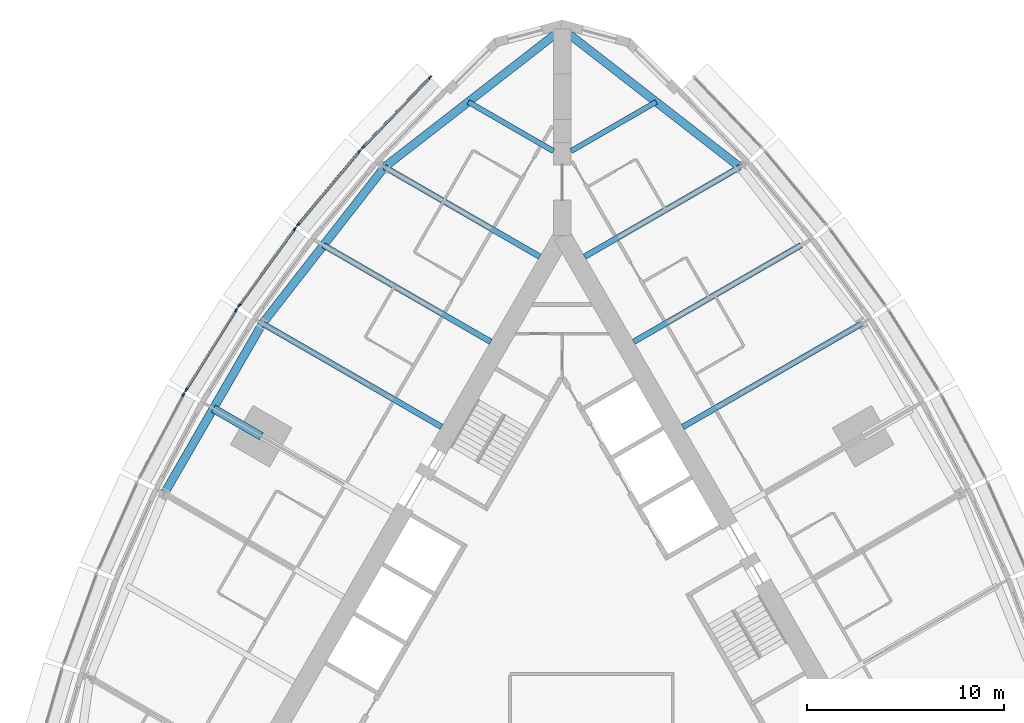
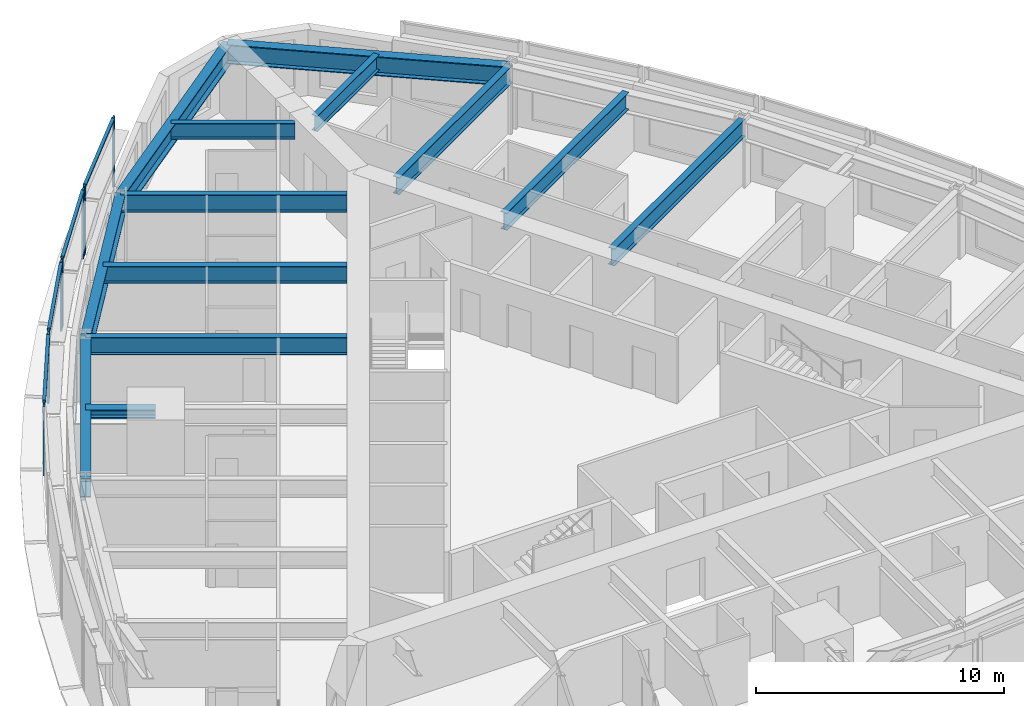
# One storey, part 4 of 14: 13 beams, 13 members, 5 elements without a shape of their own.
"""IFC4 building model written with IfcOpenShell, lengths in metres."""

from ifc_helpers import new_model, si_unit, direction, frame, origin, origin_2d, place, context, subcontext, project, spatial, rectangle, i_section, extrude, material, material_profile, profile_set, type_object, element, aggregate, save


model = new_model("IFC4")

# Units and contexts
model_context = context("Model", 3, precision=1e-05, world=origin(), true_north=direction((0.0, 1.0)))
body_context = subcontext(model_context, "Body", "Model", "MODEL_VIEW")
ifc_project = project(units=[si_unit("LENGTHUNIT", "METRE"), si_unit("AREAUNIT", "SQUARE_METRE"), si_unit("VOLUMEUNIT", "CUBIC_METRE"), si_unit("PLANEANGLEUNIT", "RADIAN"), si_unit("MASSUNIT", "GRAM", prefix="KILO")], contexts=[model_context])

# Site, building, storey
site_placement = place(None, origin())
site = spatial("IfcSite", under=ifc_project, at=site_placement, CompositionType="ELEMENT")
building_placement = place(site_placement, origin())
building = spatial("IfcBuilding", under=site, at=building_placement, Name="Trikona Tower", CompositionType="ELEMENT")
storey_placement = place(building_placement, frame((0.0, 0.0, 148.699951171875)))
storey = spatial("IfcBuildingStorey", under=building, at=storey_placement, Name="L39", CompositionType="ELEMENT", Elevation=148.699951171875)

# Curtain wall, members
ifc_material_1 = material(Name="Aluminium curtain wall system", Category="aluminium")
curtain_wall_type = type_object("IfcCurtainWallType", Name="Curtain wall DS2", PredefinedType="NOTDEFINED", material=ifc_material_1)
curtain_wall_1_placement = place(storey_placement, origin())
curtain_wall_1 = element("IfcCurtainWall", 1, at=curtain_wall_1_placement, inside=storey, type_object=curtain_wall_type, Name="Curtain wall DS2 L39", PredefinedType="NOTDEFINED")
ifc_material_2 = material(Name="Aluminium mullion, pale anodised", Category="aluminium")
ifc_material_profile_1 = material_profile(ifc_material_2, rectangle(XDim=0.080078125, YDim=0.199951171875, at=origin_2d()), Name="MUL-DS2")
ifc_profile_set_1 = profile_set([ifc_material_profile_1], Name="Aluminium mullion, pale anodised")
member_type_1 = type_object("IfcMemberType", Name="Mullion DS2 80x200", PredefinedType="MULLION", material=ifc_profile_set_1)
member_1_placement = place(storey_placement, frame((-6.718994140625, 27.1083984375, 0.0), z_axis=(0.0, 0.0, 1.0), x_axis=(0.722158330767, -0.691727797117, 0.0)))
member_1 = element("IfcMember", 2, at=member_1_placement, type_object=member_type_1, Name="CW-DS2 mullion 1", PredefinedType="MULLION", context=body_context, shape_type="SweptSolid", body=[
    extrude(rectangle(XDim=0.080078125, YDim=0.199951171875, at=origin_2d()), origin(), (0.0, 0.0, 1.0), 3.400146484375),
])
member_2_placement = place(storey_placement, frame((-10.1416015625, 23.535400390625, 0.0), z_axis=(0.0, 0.0, 1.0), x_axis=(0.722158330767, -0.691727797117, 0.0)))
member_2 = element("IfcMember", 3, at=member_2_placement, type_object=member_type_1, Name="CW-DS2 mullion 2", PredefinedType="MULLION", context=body_context, shape_type="SweptSolid", body=[
    extrude(rectangle(XDim=0.080078125, YDim=0.199951171875, at=origin_2d()), origin(), (0.0, 0.0, 1.0), 3.400146484375),
])

curtain_wall_2_placement = place(storey_placement, origin())
curtain_wall_2 = element("IfcCurtainWall", 4, at=curtain_wall_2_placement, inside=storey, type_object=curtain_wall_type, Name="Curtain wall DS2 L39", PredefinedType="NOTDEFINED")
member_3_placement = place(storey_placement, frame((-10.315185546875, 23.34130859375, 0.0), z_axis=(0.0, 0.0, 1.0), x_axis=(0.766866678271, -0.641806433248, 0.0)))
member_3 = element("IfcMember", 5, at=member_3_placement, type_object=member_type_1, Name="CW-DS2 mullion 1", PredefinedType="MULLION", context=body_context, shape_type="SweptSolid", body=[
    extrude(rectangle(XDim=0.080078125, YDim=0.199951171875, at=origin_2d()), origin(), (0.0, 0.0, 1.0), 3.400146484375),
])
member_4_placement = place(storey_placement, frame((-13.44482421875, 19.602294921875, 0.0), z_axis=(0.0, 0.0, 1.0), x_axis=(0.766866678271, -0.641806433248, 0.0)))
member_4 = element("IfcMember", 6, at=member_4_placement, type_object=member_type_1, Name="CW-DS2 mullion 2", PredefinedType="MULLION", context=body_context, shape_type="SweptSolid", body=[
    extrude(rectangle(XDim=0.080078125, YDim=0.199951171875, at=origin_2d()), origin(), (0.0, 0.0, 1.0), 3.400146484375),
])

curtain_wall_3_placement = place(storey_placement, origin())
curtain_wall_3 = element("IfcCurtainWall", 7, at=curtain_wall_3_placement, inside=storey, type_object=curtain_wall_type, Name="Curtain wall DS2 L39", PredefinedType="NOTDEFINED")
member_5_placement = place(storey_placement, frame((-13.605712890625, 19.39599609375, 0.0), z_axis=(0.0, 0.0, 1.0), x_axis=(0.80908576332, -0.587690588313, 0.0)))
member_5 = element("IfcMember", 8, at=member_5_placement, type_object=member_type_1, Name="CW-DS2 mullion 1", PredefinedType="MULLION", context=body_context, shape_type="SweptSolid", body=[
    extrude(rectangle(XDim=0.080078125, YDim=0.199951171875, at=origin_2d()), origin(), (0.0, 0.0, 1.0), 3.400146484375),
])
member_6_placement = place(storey_placement, frame((-16.442626953125, 15.489990234375, 0.0), z_axis=(0.0, 0.0, 1.0), x_axis=(0.80908576332, -0.587690588313, 0.0)))
member_6 = element("IfcMember", 9, at=member_6_placement, type_object=member_type_1, Name="CW-DS2 mullion 2", PredefinedType="MULLION", context=body_context, shape_type="SweptSolid", body=[
    extrude(rectangle(XDim=0.080078125, YDim=0.199951171875, at=origin_2d()), origin(), (0.0, 0.0, 1.0), 3.400146484375),
])

curtain_wall_4_placement = place(storey_placement, origin())
curtain_wall_4 = element("IfcCurtainWall", 10, at=curtain_wall_4_placement, inside=storey, type_object=curtain_wall_type, Name="Curtain wall DS2 L39", PredefinedType="NOTDEFINED")
member_7_placement = place(storey_placement, frame((-16.589599609375, 15.2724609375, 0.0), z_axis=(0.0, 0.0, 1.0), x_axis=(0.847998304006, -0.529998940002, 0.0)))
member_7 = element("IfcMember", 11, at=member_7_placement, type_object=member_type_1, Name="CW-DS2 mullion 1", PredefinedType="MULLION", context=body_context, shape_type="SweptSolid", body=[
    extrude(rectangle(XDim=0.080078125, YDim=0.199951171875, at=origin_2d()), origin(), (0.0, 0.0, 1.0), 3.400146484375),
])
member_8_placement = place(storey_placement, frame((-19.135009765625, 11.199462890625, 0.0), z_axis=(0.0, 0.0, 1.0), x_axis=(0.847998304006, -0.529998940002, 0.0)))
member_8 = element("IfcMember", 12, at=member_8_placement, type_object=member_type_1, Name="CW-DS2 mullion 2", PredefinedType="MULLION", context=body_context, shape_type="SweptSolid", body=[
    extrude(rectangle(XDim=0.080078125, YDim=0.199951171875, at=origin_2d()), origin(), (0.0, 0.0, 1.0), 3.400146484375),
])

# Curtain wall, member
curtain_wall_5_placement = place(storey_placement, origin())
curtain_wall_5 = element("IfcCurtainWall", 13, at=curtain_wall_5_placement, inside=storey, type_object=curtain_wall_type, Name="Curtain wall DS2 L39", PredefinedType="NOTDEFINED")
member_9_placement = place(storey_placement, frame((-19.2666015625, 10.9716796875, 0.0), z_axis=(0.0, 0.0, 1.0), x_axis=(0.882996107343, -0.469380308937, 0.0)))
member_9 = element("IfcMember", 14, at=member_9_placement, type_object=member_type_1, Name="CW-DS2 mullion 1", PredefinedType="MULLION", context=body_context, shape_type="SweptSolid", body=[
    extrude(rectangle(XDim=0.080078125, YDim=0.199951171875, at=origin_2d()), origin(), (0.0, 0.0, 1.0), 3.400146484375),
])
aggregate(curtain_wall_5, [member_9])

# Beams
ifc_material_3 = material(Name="Steel ASTM A992 Grade 50", Category="steel")
ifc_material_profile_2 = material_profile(ifc_material_3, i_section(OverallWidth=0.419189453125, OverallDepth=0.45458984375, WebThickness=0.042236328125, FlangeThickness=0.067626953125, at=origin_2d()), Name="W14X370")
ifc_profile_set_2 = profile_set([ifc_material_profile_2], Name="Steel ASTM A992 Grade 50")
beam_type_1 = type_object("IfcBeamType", Name="Steel beam W14x370 (apex bracket)", PredefinedType="BEAM", material=ifc_profile_set_2)
beam_1_placement = place(storey_placement, frame((-15.311767578125, 8.84033203125, 3.0078125), z_axis=(-0.86605005072, 0.499957307824, 0.0), x_axis=(-0.499957307824, -0.86605005072, 0.0)))
element("IfcBeam", 15, at=beam_1_placement, inside=storey, type_object=beam_type_1, Name="Cantilever bracket L40 F3", PredefinedType="BEAM", context=body_context, shape_type="SweptSolid", body=[
    extrude(i_section(OverallWidth=0.419189453125, OverallDepth=0.45458984375, WebThickness=0.042236328125, FlangeThickness=0.067626953125, at=origin_2d()), origin(), (0.0, 0.0, 1.0), 2.819580078125),
])
ifc_material_4 = material(Name="Steel ASTM A992 Grade 50", Category="steel")
ifc_material_profile_3 = material_profile(ifc_material_4, i_section(OverallWidth=0.2666015625, OverallDepth=0.76953125, WebThickness=0.015625, FlangeThickness=0.025390625, at=origin_2d()), Name="W30X132")
ifc_profile_set_3 = profile_set([ifc_material_profile_3], Name="Steel ASTM A992 Grade 50")
beam_type_2 = type_object("IfcBeamType", Name="Steel beam W30x132 (wedge)", PredefinedType="BEAM", material=ifc_profile_set_3)
for number, where, z_axis, x_axis, name in (
    (16, (0.449951171875, 23.353759765625, 2.850341796875), (0.866038434829, 0.49997742889, 0.0), (-0.49997742889, 0.866038434829, 0.0), "Floor beam L40 F2 u20"),
    (17, (-0.449951171875, 23.353759765625, 2.850341796875), (-0.866038434829, 0.49997742889, 0.0), (-0.49997742889, -0.866038434829, 0.0), "Floor beam L40 F3 u-20"),
):
    element("IfcBeam", number, at=place(storey_placement, frame(where, z_axis=z_axis, x_axis=x_axis)), inside=storey, type_object=beam_type_2, Name=name, PredefinedType="BEAM", context=body_context, shape_type="SweptSolid", body=[
        extrude(i_section(OverallWidth=0.2666015625, OverallDepth=0.76953125, WebThickness=0.015625, FlangeThickness=0.025390625, at=origin_2d()), origin(), (0.0, 0.0, 1.0), 5.000732421875),
    ])
ifc_material_5 = material(Name="Steel ASTM A992 Grade 50", Category="steel")
ifc_material_profile_4 = material_profile(ifc_material_5, i_section(OverallWidth=0.2919921875, OverallDepth=0.845703125, WebThickness=0.015380859375, FlangeThickness=0.0244140625, at=origin_2d()), Name="W33X141")
ifc_profile_set_4 = profile_set([ifc_material_profile_4], Name="Steel ASTM A992 Grade 50")
beam_type_3 = type_object("IfcBeamType", Name="Steel beam W33x141 (radial typ)", PredefinedType="BEAM", material=ifc_profile_set_4)
beam_2_placement = place(storey_placement, frame((6.1396484375, 9.318359375, 2.812255859375), z_axis=(0.866036080828, 0.499981506362, 0.0), x_axis=(-0.499981506362, 0.866036080828, 0.0)))
element("IfcBeam", 18, at=beam_2_placement, inside=storey, type_object=beam_type_3, Name="Floor beam L40 F2 u5", PredefinedType="BEAM", context=body_context, shape_type="SweptSolid", body=[
    extrude(i_section(OverallWidth=0.2919921875, OverallDepth=0.845703125, WebThickness=0.015380859375, FlangeThickness=0.0244140625, at=origin_2d()), origin(), (0.0, 0.0, 1.0), 10.52392578125),
])
beam_3_placement = place(storey_placement, frame((3.6396484375, 13.6484375, 2.812255859375), z_axis=(0.866030807744, 0.499990639951, 0.0), x_axis=(-0.499990639951, 0.866030807744, 0.0)))
element("IfcBeam", 19, at=beam_3_placement, inside=storey, type_object=beam_type_3, Name="Floor beam L40 F2 u10", PredefinedType="BEAM", context=body_context, shape_type="SweptSolid", body=[
    extrude(i_section(OverallWidth=0.2919921875, OverallDepth=0.845703125, WebThickness=0.015380859375, FlangeThickness=0.0244140625, at=origin_2d()), origin(), (0.0, 0.0, 1.0), 9.823974609375),
])
for number, where, z_axis, x_axis, name in (
    (20, (1.1396484375, 17.978515625, 2.812255859375), (0.866024725532, 0.500001174766, 0.0), (-0.500001174766, 0.866024725532, 0.0), "Floor beam L40 F2 u15"),
    (21, (-1.1396484375, 17.978515625, 2.812255859375), (-0.866024725532, 0.500001174766, 0.0), (-0.500001174766, -0.866024725532, 0.0), "Floor beam L40 F3 u-15"),
):
    element("IfcBeam", number, at=place(storey_placement, frame(where, z_axis=z_axis, x_axis=x_axis)), inside=storey, type_object=beam_type_3, Name=name, PredefinedType="BEAM", context=body_context, shape_type="SweptSolid", body=[
        extrude(i_section(OverallWidth=0.2919921875, OverallDepth=0.845703125, WebThickness=0.015380859375, FlangeThickness=0.0244140625, at=origin_2d()), origin(), (0.0, 0.0, 1.0), 9.1240234375),
    ])
beam_4_placement = place(storey_placement, frame((-3.6396484375, 13.6484375, 2.812255859375), z_axis=(-0.866030807744, 0.499990639951, 0.0), x_axis=(-0.499990639951, -0.866030807744, 0.0)))
element("IfcBeam", 22, at=beam_4_placement, inside=storey, type_object=beam_type_3, Name="Floor beam L40 F3 u-10", PredefinedType="BEAM", context=body_context, shape_type="SweptSolid", body=[
    extrude(i_section(OverallWidth=0.2919921875, OverallDepth=0.845703125, WebThickness=0.015380859375, FlangeThickness=0.0244140625, at=origin_2d()), origin(), (0.0, 0.0, 1.0), 9.823974609375),
])
beam_5_placement = place(storey_placement, frame((-6.1396484375, 9.318359375, 2.812255859375), z_axis=(-0.866036080828, 0.499981506362, 0.0), x_axis=(-0.499981506362, -0.866036080828, 0.0)))
element("IfcBeam", 23, at=beam_5_placement, inside=storey, type_object=beam_type_3, Name="Floor beam L40 F3 u-5", PredefinedType="BEAM", context=body_context, shape_type="SweptSolid", body=[
    extrude(i_section(OverallWidth=0.2919921875, OverallDepth=0.845703125, WebThickness=0.015380859375, FlangeThickness=0.0244140625, at=origin_2d()), origin(), (0.0, 0.0, 1.0), 10.52392578125),
])
ifc_material_6 = material(Name="Steel ASTM A992 Grade 50", Category="steel")
ifc_material_profile_5 = material_profile(ifc_material_6, i_section(OverallWidth=0.424072265625, OverallDepth=0.947509765625, WebThickness=0.02392578125, FlangeThickness=0.042724609375, at=origin_2d()), Name="W36X302")
ifc_profile_set_5 = profile_set([ifc_material_profile_5], Name="Steel ASTM A992 Grade 50")
beam_type_4 = type_object("IfcBeamType", Name="Steel beam W36x302 (spandrel)", PredefinedType="SPANDREL", material=ifc_profile_set_5)
for number, where, z_axis, x_axis, name in (
    (24, (9.041259765625, 22.54052734375, 2.76123046875), (-0.789367137808, 0.613921429621, 0.0), (-0.613921429621, -0.789367137808, 0.0), "Spandrel beam L40 F2-5"),
    (25, (0.0, 29.572265625, 2.76123046875), (-0.789367137808, -0.613921429621, 0.0), (0.613921429621, -0.789367137808, 0.0), "Spandrel beam L40 F3-1"),
):
    element("IfcBeam", number, at=place(storey_placement, frame(where, z_axis=z_axis, x_axis=x_axis)), inside=storey, type_object=beam_type_4, Name=name, PredefinedType="SPANDREL", context=body_context, shape_type="SweptSolid", body=[
        extrude(i_section(OverallWidth=0.424072265625, OverallDepth=0.947509765625, WebThickness=0.02392578125, FlangeThickness=0.042724609375, at=origin_2d()), origin(), (0.0, 0.0, 1.0), 11.453857421875),
    ])
beam_6_placement = place(storey_placement, frame((-9.041259765625, 22.54052734375, 2.76123046875), z_axis=(-0.615232009054, -0.788346101046, 0.0), x_axis=(0.788346101046, -0.615232009054, 0.0)))
element("IfcBeam", 26, at=beam_6_placement, inside=storey, type_object=beam_type_4, Name="Spandrel beam L40 F3-2", PredefinedType="SPANDREL", context=body_context, shape_type="SweptSolid", body=[
    extrude(i_section(OverallWidth=0.424072265625, OverallDepth=0.947509765625, WebThickness=0.02392578125, FlangeThickness=0.042724609375, at=origin_2d()), origin(), (0.0, 0.0, 1.0), 10.09765625),
])
beam_7_placement = place(storey_placement, frame((-15.253662109375, 14.580078125, 2.76123046875), z_axis=(-0.500004234368, -0.866022959057, 0.0), x_axis=(0.866022959057, -0.500004234368, 0.0)))
element("IfcBeam", 27, at=beam_7_placement, inside=storey, type_object=beam_type_4, Name="Spandrel beam L40 F3-3", PredefinedType="SPANDREL", context=body_context, shape_type="SweptSolid", body=[
    extrude(i_section(OverallWidth=0.424072265625, OverallDepth=0.947509765625, WebThickness=0.02392578125, FlangeThickness=0.042724609375, at=origin_2d()), origin(), (0.0, 0.0, 1.0), 10.0),
])

# Member
ifc_material_7 = material(Name="Aluminium transom, pale anodised", Category="aluminium")
ifc_material_profile_6 = material_profile(ifc_material_7, rectangle(XDim=0.139892578125, YDim=0.080078125, at=origin_2d()), Name="TRN-DS2")
ifc_profile_set_6 = profile_set([ifc_material_profile_6], Name="Aluminium transom, pale anodised")
member_type_2 = type_object("IfcMemberType", Name="Transom DS2 80x140", PredefinedType="USERDEFINED", material=ifc_profile_set_6)
member_10_placement = place(storey_placement, frame((-6.746826171875, 27.07958984375, 3.360107421875), z_axis=(-0.691721246785, -0.722164605022, 0.0), x_axis=(0.722164605022, -0.691721246785, 0.0)))
member_10 = element("IfcMember", 28, at=member_10_placement, type_object=member_type_2, Name="CW-DS2 transom 1.1", ObjectType="TRANSOM", PredefinedType="USERDEFINED", context=body_context, shape_type="SweptSolid", body=[
    extrude(rectangle(XDim=0.139892578125, YDim=0.080078125, at=origin_2d()), origin(), (0.0, 0.0, 1.0), 4.867919921875),
])

aggregate(curtain_wall_1, [member_1, member_2, member_10])

member_11_placement = place(storey_placement, frame((-10.341064453125, 23.310791015625, 3.360107421875), z_axis=(-0.641770294892, -0.766896921753, 0.0), x_axis=(0.766896921753, -0.641770294892, 0.0)))
member_11 = element("IfcMember", 29, at=member_11_placement, type_object=member_type_2, Name="CW-DS2 transom 1.1", ObjectType="TRANSOM", PredefinedType="USERDEFINED", context=body_context, shape_type="SweptSolid", body=[
    extrude(rectangle(XDim=0.139892578125, YDim=0.080078125, at=origin_2d()), origin(), (0.0, 0.0, 1.0), 4.7958984375),
])

aggregate(curtain_wall_2, [member_3, member_4, member_11])

member_12_placement = place(storey_placement, frame((-13.629150390625, 19.363525390625, 3.360107421875), z_axis=(-0.587694585883, -0.809082859616, 0.0), x_axis=(0.809082859616, -0.587694585883, 0.0)))
member_12 = element("IfcMember", 30, at=member_12_placement, type_object=member_type_2, Name="CW-DS2 transom 1.1", ObjectType="TRANSOM", PredefinedType="USERDEFINED", context=body_context, shape_type="SweptSolid", body=[
    extrude(rectangle(XDim=0.139892578125, YDim=0.080078125, at=origin_2d()), origin(), (0.0, 0.0, 1.0), 4.747314453125),
])

aggregate(curtain_wall_3, [member_5, member_6, member_12])

member_13_placement = place(storey_placement, frame((-16.610595703125, 15.238525390625, 3.360107421875), z_axis=(-0.530031463794, -0.847977975769, 0.0), x_axis=(0.847977975769, -0.530031463794, 0.0)))
member_13 = element("IfcMember", 31, at=member_13_placement, type_object=member_type_2, Name="CW-DS2 transom 1.1", ObjectType="TRANSOM", PredefinedType="USERDEFINED", context=body_context, shape_type="SweptSolid", body=[
    extrude(rectangle(XDim=0.139892578125, YDim=0.080078125, at=origin_2d()), origin(), (0.0, 0.0, 1.0), 4.72314453125),
])

aggregate(curtain_wall_4, [member_7, member_8, member_13])

save(model, "model.ifc")
